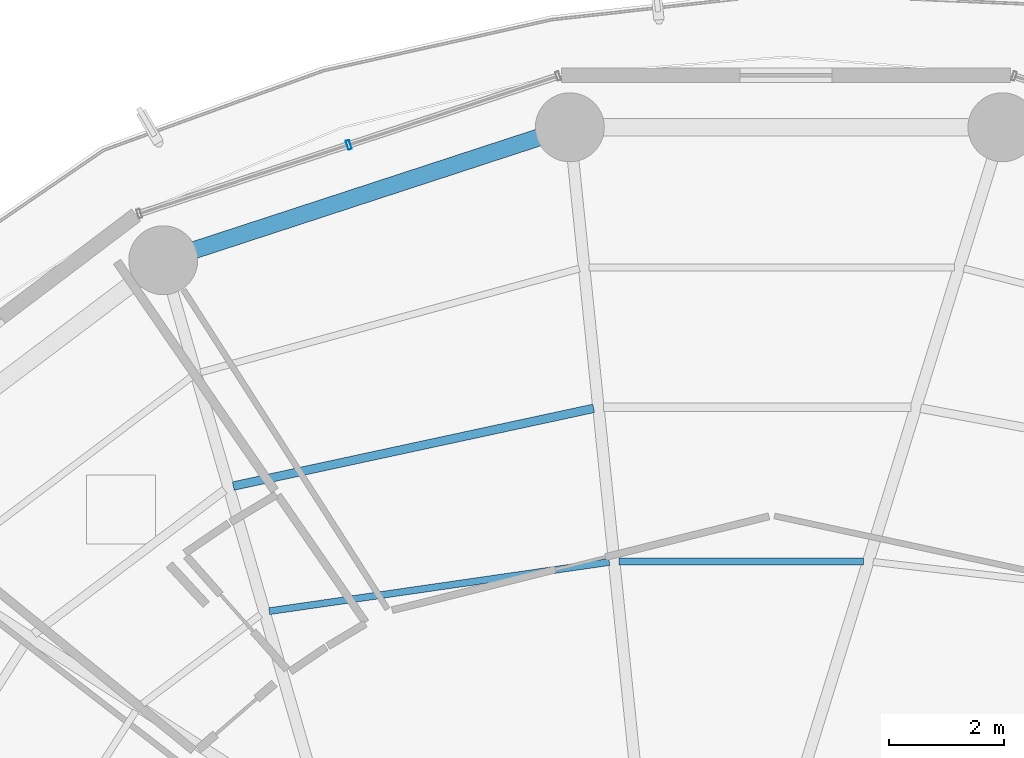
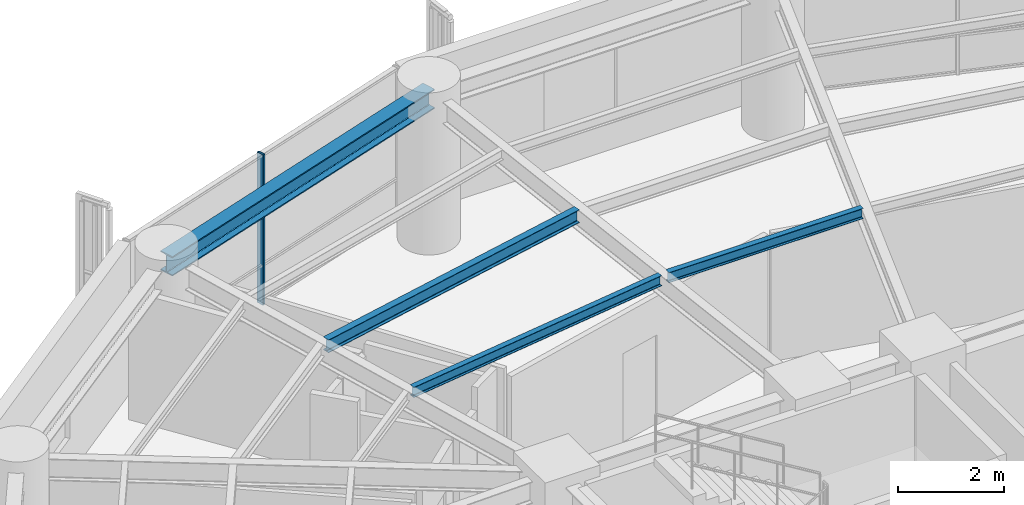
# One storey, part 17 of 28: 4 beams, 1 member, 1 element without a shape of its own.
"""IFC4 building model written with IfcOpenShell, lengths in metres."""

from ifc_helpers import new_model, si_unit, direction, frame, origin, origin_2d, place, context, subcontext, project, spatial, hollow_rectangle, i_section, extrude, material, layer, layer_set, material_profile, profile_set, type_object, element, aggregate, save


model = new_model("IFC4")

# Units and contexts
model_context = context("Model", 3, precision=1e-05, world=origin(), true_north=direction((0.0, 1.0)))
body_context = subcontext(model_context, "Body", "Model", "MODEL_VIEW")
ifc_project = project(units=[si_unit("LENGTHUNIT", "METRE"), si_unit("AREAUNIT", "SQUARE_METRE"), si_unit("VOLUMEUNIT", "CUBIC_METRE"), si_unit("PLANEANGLEUNIT", "RADIAN"), si_unit("MASSUNIT", "GRAM", prefix="KILO")], contexts=[model_context])

# Site, building, storey
site_placement = place(None, origin())
site = spatial("IfcSite", under=ifc_project, at=site_placement, CompositionType="ELEMENT")
building_placement = place(site_placement, origin())
building = spatial("IfcBuilding", under=site, at=building_placement, Name="Kelanora Arch Commons", CompositionType="ELEMENT")
storey_placement = place(building_placement, frame((0.0, 0.0, 158.10009765625)))
storey = spatial("IfcBuildingStorey", under=building, at=storey_placement, Name="L40", CompositionType="ELEMENT", Elevation=158.10009765625)

# Beams
ifc_material_1 = material(Name="Steel S355", Category="steel")
ifc_material_profile_1 = material_profile(ifc_material_1, i_section(OverallWidth=0.14990234375, OverallDepth=0.300048828125, WebThickness=0.007080078125, FlangeThickness=0.0107421875, FilletRadius=0.014892578125, at=origin_2d()), Name="IPE300")
ifc_profile_set_1 = profile_set([ifc_material_profile_1], Name="Steel S355")
beam_type_1 = type_object("IfcBeamType", Name="BM-JST-01", PredefinedType="JOIST", material=ifc_profile_set_1)
beam_1_placement = place(storey_placement, frame((70.650146484375, 72.29248046875, 3.33984375), z_axis=(-0.977521966827, -0.210833594029, 0.0), x_axis=(0.210833594029, -0.977521966827, 0.0)))
element("IfcBeam", 1, at=beam_1_placement, inside=storey, type_object=beam_type_1, Name="Secondary Chord Joist BJB-10 L40", PredefinedType="JOIST", context=body_context, shape_type="SweptSolid", body=[
    extrude(i_section(OverallWidth=0.14990234375, OverallDepth=0.300048828125, WebThickness=0.007080078125, FlangeThickness=0.0107421875, FilletRadius=0.014892578125, at=origin_2d()), origin(), (0.0, 0.0, 1.0), 6.415283203125),
])
ifc_material_profile_2 = material_profile(ifc_material_1, i_section(OverallWidth=0.1201171875, OverallDepth=0.239990234375, WebThickness=0.006103515625, FlangeThickness=0.009765625, FilletRadius=0.014892578125, at=origin_2d()), Name="IPE240")
ifc_profile_set_2 = profile_set([ifc_material_profile_2], Name="Steel S355")
beam_type_2 = type_object("IfcBeamType", Name="BM-JST-02", PredefinedType="JOIST", material=ifc_profile_set_2)
beam_2_placement = place(storey_placement, frame((75.345703125, 69.6298828125, 3.369873046875), z_axis=(-1.0, 0.0, 0.0), x_axis=(0.0, -1.0, 0.0)))
element("IfcBeam", 2, at=beam_2_placement, inside=storey, type_object=beam_type_2, Name="Secondary Chord Joist BJA-08 L40", PredefinedType="JOIST", context=body_context, shape_type="SweptSolid", body=[
    extrude(i_section(OverallWidth=0.1201171875, OverallDepth=0.239990234375, WebThickness=0.006103515625, FlangeThickness=0.009765625, FilletRadius=0.014892578125, at=origin_2d()), origin(), (0.0, 0.0, 1.0), 4.253662109375),
])
beam_3_placement = place(storey_placement, frame((70.9228515625, 69.617919921875, 3.369873046875), z_axis=(-0.989718726051, -0.143027421508, 0.0), x_axis=(0.143027421508, -0.989718726051, 0.0)))
element("IfcBeam", 3, at=beam_3_placement, inside=storey, type_object=beam_type_2, Name="Secondary Chord Joist BJA-10 L40", PredefinedType="JOIST", context=body_context, shape_type="SweptSolid", body=[
    extrude(i_section(OverallWidth=0.1201171875, OverallDepth=0.239990234375, WebThickness=0.006103515625, FlangeThickness=0.009765625, FilletRadius=0.014892578125, at=origin_2d()), origin(), (0.0, 0.0, 1.0), 5.9794921875),
])
ifc_material_profile_3 = material_profile(ifc_material_1, i_section(OverallWidth=0.300048828125, OverallDepth=0.449951171875, WebThickness=0.013916015625, FlangeThickness=0.02587890625, FilletRadius=0.027099609375, at=origin_2d()), Name="HEB450")
ifc_profile_set_3 = profile_set([ifc_material_profile_3], Name="Steel S355")
beam_type_3 = type_object("IfcBeamType", Name="BM-SPN-Z3", PredefinedType="SPANDREL", material=ifc_profile_set_3)
beam_4_placement = place(storey_placement, frame((70.2353515625, 77.18408203125, 3.264892578125), z_axis=(-0.950461975786, -0.310840847676, 0.0), x_axis=(0.310840847676, -0.950461975786, 0.0)))
element("IfcBeam", 4, at=beam_4_placement, inside=storey, type_object=beam_type_3, Name="Perimeter Spandrel Beam BS-10 L40", PredefinedType="SPANDREL", context=body_context, shape_type="SweptSolid", body=[
    extrude(i_section(OverallWidth=0.300048828125, OverallDepth=0.449951171875, WebThickness=0.013916015625, FlangeThickness=0.02587890625, FilletRadius=0.027099609375, at=origin_2d()), origin(), (0.0, 0.0, 1.0), 7.444091796875),
])

# Curtain wall, member
ifc_material_2 = material(Name="Terracotta ceramic-fritted low-E glass and aluminium", Category="masonry")
ifc_layer = layer(ifc_material_2, 0.175048828125)
ifc_layer_set = layer_set([ifc_layer], Name="Terracotta ceramic-fritted low-E glass and aluminium")
curtain_wall_type = type_object("IfcCurtainWallType", Name="CW-SYS-02", PredefinedType="NOTDEFINED", material=ifc_layer_set)
curtain_wall_placement = place(storey_placement, origin())
curtain_wall = element("IfcCurtainWall", 5, at=curtain_wall_placement, inside=storey, type_object=curtain_wall_type, Name="Unitised Curtain Wall L40-B05", PredefinedType="NOTDEFINED")
ifc_material_3 = material(Name="Powder-coated aluminium terracotta", Category="masonry")
ifc_material_profile_4 = material_profile(ifc_material_3, hollow_rectangle(XDim=0.159912109375, YDim=0.06005859375, WallThickness=0.0048828125, InnerFilletRadius=0.0048828125, OuterFilletRadius=0.010009765625, at=origin_2d()), Name="CWM160x60")
ifc_profile_set_4 = profile_set([ifc_material_profile_4], Name="Powder-coated aluminium terracotta")
member_type = type_object("IfcMemberType", Name="CWM-STD", PredefinedType="MULLION", material=ifc_profile_set_4)
member_placement = place(storey_placement, frame((66.3876953125, 76.87841796875, 0.0), z_axis=(0.0, 0.0, 1.0), x_axis=(0.312128279571, -0.95003996605, 0.0)))
member = element("IfcMember", 6, at=member_placement, type_object=member_type, Name="CW-02 mullion 2", PredefinedType="MULLION", context=body_context, shape_type="SweptSolid", body=[
    extrude(hollow_rectangle(XDim=0.159912109375, YDim=0.06005859375, WallThickness=0.0048828125, InnerFilletRadius=0.0048828125, OuterFilletRadius=0.010009765625, at=origin_2d()), origin(), (0.0, 0.0, 1.0), 3.474853515625),
])
aggregate(curtain_wall, [member])

save(model, "model.ifc")
